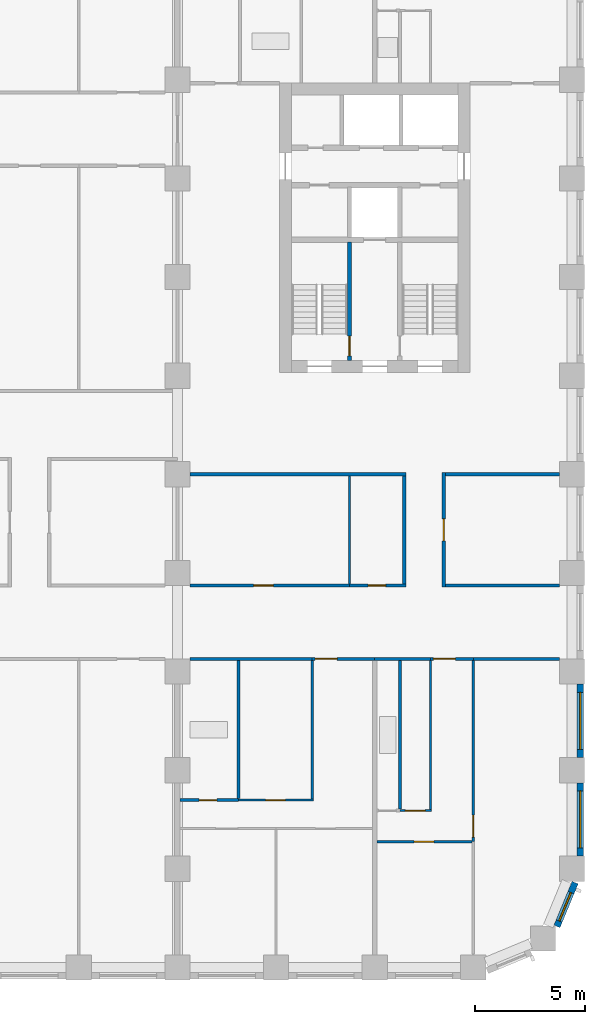
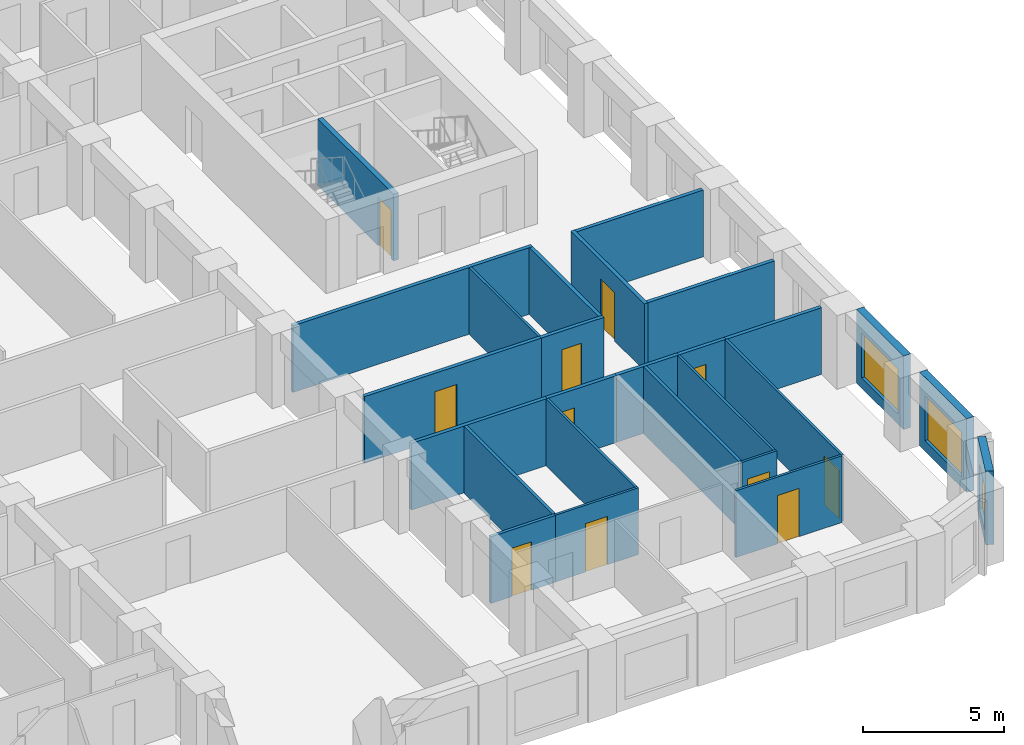
# One storey, part 5 of 13: 26 walls, 11 doors, 3 windows, 14 openings.
"""IFC4 building model written with IfcOpenShell, lengths in metres."""

from ifc_helpers import new_model, si_unit, direction, frame, frame_2d, origin, place, context, subcontext, project, spatial, rectangle, extrude, material, layer, layer_set, type_object, element, fill, save


model = new_model("IFC4")

# Units and contexts
model_context = context("Model", 3, precision=1e-05, world=origin(), true_north=direction((0.0, 1.0)))
body_context = subcontext(model_context, "Body", "Model", "MODEL_VIEW")
ifc_project = project(units=[si_unit("LENGTHUNIT", "METRE"), si_unit("AREAUNIT", "SQUARE_METRE"), si_unit("VOLUMEUNIT", "CUBIC_METRE"), si_unit("PLANEANGLEUNIT", "RADIAN"), si_unit("MASSUNIT", "GRAM", prefix="KILO")], contexts=[model_context])

# Site, building, storey
site_placement = place(None, origin())
site = spatial("IfcSite", under=ifc_project, at=site_placement, CompositionType="ELEMENT")
building_placement = place(site_placement, origin())
building = spatial("IfcBuilding", under=site, at=building_placement, Name="Girih Gate Residences", CompositionType="ELEMENT")
storey_placement = place(building_placement, frame((0.0, 0.0, 102.39990234375)))
storey = spatial("IfcBuildingStorey", under=building, at=storey_placement, Name="L28", CompositionType="ELEMENT", Elevation=102.39990234375)

# Wall
ifc_material_1 = material(Name="Gypsum board on steel studs", Category="steel")
ifc_layer_1 = layer(ifc_material_1, 0.14990234375)
ifc_layer_set_1 = layer_set([ifc_layer_1], Name="Compartment wall 150 mm")
wall_type_1 = type_object("IfcWallType", Name="Compartment wall 150 mm", PredefinedType="PARTITIONING", material=ifc_layer_set_1)
wall_1_placement = place(storey_placement, frame((40.5, 14.074951171875, 0.0), z_axis=(0.0, 0.0, 1.0), x_axis=(1.0, 0.0, 0.0)))
element("IfcWall", 1, at=wall_1_placement, inside=storey, type_object=wall_type_1, Name="L28 partition", PredefinedType="PARTITIONING", context=body_context, shape_type="SweptSolid", body=[
    extrude(rectangle(XDim=2.550048828125, YDim=0.14990234375, at=frame_2d((1.27490234375, 0.0))), origin(), (0.0, 0.0, 1.0), 2.900146484375),
])

# Wall, opening, door
wall_2_placement = place(storey_placement, frame((45.0, 14.074951171875, 0.0), z_axis=(0.0, 0.0, 1.0), x_axis=(-1.0, 0.0, 0.0)))
wall_2 = element("IfcWall", 2, at=wall_2_placement, inside=storey, type_object=wall_type_1, Name="L28 partition", PredefinedType="PARTITIONING", context=body_context, shape_type="SweptSolid", body=[
    extrude(rectangle(XDim=1.949951171875, YDim=0.14990234375, at=frame_2d((0.97509765625, 0.0))), origin(), (0.0, 0.0, 1.0), 2.900146484375),
])
opening_1_placement = place(wall_2_placement, frame((0.820068359375, 0.0, 0.0)))
opening_1 = element("IfcOpeningElement", 3, at=opening_1_placement, cuts=wall_2, Name="Opening A28-023", PredefinedType="OPENING", context=body_context, shape_type="SweptSolid", body=[
    extrude(rectangle(XDim=1.0, YDim=2.10009765625, at=frame_2d((0.5, 1.050048828125))), frame((0.0, 0.0849609375, 0.0), z_axis=(0.0, -1.0, 0.0), x_axis=(1.0, 0.0, 0.0)), (0.0, 0.0, 1.0), 0.169921875),
])
ifc_material_2 = material(Name="Timber, fire-rated core", Category="wood")
door_type_1 = type_object("IfcDoorType", Name="Flat entrance door 1000x2100 FD30S", OperationType="NOTDEFINED", PredefinedType="DOOR", material=ifc_material_2)
door_1_placement = place(opening_1_placement, origin())
door_1 = element("IfcDoor", 4, at=door_1_placement, inside=storey, type_object=door_type_1, Name="Door A28-023", OperationType="SINGLE_SWING_RIGHT", OverallHeight=2.10009765625, OverallWidth=1.0, PredefinedType="DOOR", context=body_context, shape_type="SweptSolid", body=[
    extrude(rectangle(XDim=1.0, YDim=2.10009765625, at=frame_2d((0.5, 1.050048828125))), frame((0.0, 0.02490234375, 0.0), z_axis=(0.0, -1.0, 0.0), x_axis=(1.0, 0.0, 0.0)), (0.0, 0.0, 1.0), 0.050048828125),
])
fill(opening_1, door_1)

# Walls
wall_3_placement = place(storey_placement, frame((45.0, 14.074951171875, 0.0), z_axis=(0.0, 0.0, 1.0), x_axis=(1.0, 0.0, 0.0)))
element("IfcWall", 5, at=wall_3_placement, inside=storey, type_object=wall_type_1, Name="L28 partition", PredefinedType="PARTITIONING", context=body_context, shape_type="SweptSolid", body=[
    extrude(rectangle(XDim=3.925048828125, YDim=0.14990234375, at=frame_2d((1.96240234375, 0.0))), origin(), (0.0, 0.0, 1.0), 2.900146484375),
])
wall_4_placement = place(storey_placement, frame((32.074951171875, 14.074951171875, 0.0), z_axis=(0.0, 0.0, 1.0), x_axis=(1.0, 0.0, 0.0)))
element("IfcWall", 6, at=wall_4_placement, inside=storey, type_object=wall_type_1, Name="L28 partition", PredefinedType="PARTITIONING", context=body_context, shape_type="SweptSolid", body=[
    extrude(rectangle(XDim=5.574951171875, YDim=0.14990234375, at=frame_2d((2.78759765625, 0.0))), origin(), (0.0, 0.0, 1.0), 2.900146484375),
])

# Wall, opening, door
wall_5_placement = place(storey_placement, frame((40.5, 14.074951171875, 0.0), z_axis=(0.0, 0.0, 1.0), x_axis=(-1.0, 0.0, 0.0)))
wall_5 = element("IfcWall", 7, at=wall_5_placement, inside=storey, type_object=wall_type_1, Name="L28 partition", PredefinedType="PARTITIONING", context=body_context, shape_type="SweptSolid", body=[
    extrude(rectangle(XDim=2.85009765625, YDim=0.14990234375, at=frame_2d((1.425048828125, 0.0))), origin(), (0.0, 0.0, 1.0), 2.900146484375),
])
opening_2_placement = place(wall_5_placement, frame((1.719970703125, 0.0, 0.0)))
opening_2 = element("IfcOpeningElement", 8, at=opening_2_placement, cuts=wall_5, Name="Opening A28-028", PredefinedType="OPENING", context=body_context, shape_type="SweptSolid", body=[
    extrude(rectangle(XDim=1.0, YDim=2.10009765625, at=frame_2d((0.5, 1.050048828125))), frame((0.0, 0.0849609375, 0.0), z_axis=(0.0, -1.0, 0.0), x_axis=(1.0, 0.0, 0.0)), (0.0, 0.0, 1.0), 0.169921875),
])
door_2_placement = place(opening_2_placement, origin())
door_2 = element("IfcDoor", 9, at=door_2_placement, inside=storey, type_object=door_type_1, Name="Door A28-028", OperationType="SINGLE_SWING_RIGHT", OverallHeight=2.10009765625, OverallWidth=1.0, PredefinedType="DOOR", context=body_context, shape_type="SweptSolid", body=[
    extrude(rectangle(XDim=1.0, YDim=2.10009765625, at=frame_2d((0.5, 1.050048828125))), frame((0.0, 0.02490234375, 0.0), z_axis=(0.0, -1.0, 0.0), x_axis=(1.0, 0.0, 0.0)), (0.0, 0.0, 1.0), 0.050048828125),
])
fill(opening_2, door_2)

wall_6_placement = place(storey_placement, frame((32.074951171875, 17.425048828125, 0.0), z_axis=(0.0, 0.0, 1.0), x_axis=(1.0, 0.0, 0.0)))
wall_6 = element("IfcWall", 10, at=wall_6_placement, inside=storey, type_object=wall_type_1, Name="L28 partition", PredefinedType="PARTITIONING", context=body_context, shape_type="SweptSolid", body=[
    extrude(rectangle(XDim=7.275146484375, YDim=0.14990234375, at=frame_2d((3.6376953125, 0.0))), origin(), (0.0, 0.0, 1.0), 2.900146484375),
])
opening_3_placement = place(wall_6_placement, frame((2.89990234375, 0.0, 0.0)))
opening_3 = element("IfcOpeningElement", 11, at=opening_3_placement, cuts=wall_6, Name="Opening A28-050", PredefinedType="OPENING", context=body_context, shape_type="SweptSolid", body=[
    extrude(rectangle(XDim=0.89990234375, YDim=2.10009765625, at=frame_2d((0.449951171875, 1.050048828125))), frame((0.0, 0.0849609375, 0.0), z_axis=(0.0, -1.0, 0.0), x_axis=(1.0, 0.0, 0.0)), (0.0, 0.0, 1.0), 0.169921875),
])
ifc_material_3 = material(Name="Timber", Category="wood")
door_type_2 = type_object("IfcDoorType", Name="Service room door 900x2100", OperationType="NOTDEFINED", PredefinedType="DOOR", material=ifc_material_3)
door_3_placement = place(opening_3_placement, origin())
door_3 = element("IfcDoor", 12, at=door_3_placement, inside=storey, type_object=door_type_2, Name="Door A28-050", OperationType="SINGLE_SWING_LEFT", OverallHeight=2.10009765625, OverallWidth=0.89990234375, PredefinedType="DOOR", context=body_context, shape_type="SweptSolid", body=[
    extrude(rectangle(XDim=0.89990234375, YDim=2.10009765625, at=frame_2d((0.449951171875, 1.050048828125))), frame((0.0, 0.02490234375, 0.0), z_axis=(0.0, -1.0, 0.0), x_axis=(1.0, 0.0, 0.0)), (0.0, 0.0, 1.0), 0.050048828125),
])
fill(opening_3, door_3)

wall_7_placement = place(storey_placement, frame((39.35009765625, 17.425048828125, 0.0), z_axis=(0.0, 0.0, 1.0), x_axis=(1.0, 0.0, 0.0)))
wall_7 = element("IfcWall", 13, at=wall_7_placement, inside=storey, type_object=wall_type_1, Name="L28 partition", PredefinedType="PARTITIONING", context=body_context, shape_type="SweptSolid", body=[
    extrude(rectangle(XDim=2.574951171875, YDim=0.14990234375, at=frame_2d((1.28759765625, 0.0))), origin(), (0.0, 0.0, 1.0), 2.900146484375),
])
opening_4_placement = place(wall_7_placement, frame((0.85009765625, 0.0, 0.0)))
opening_4 = element("IfcOpeningElement", 14, at=opening_4_placement, cuts=wall_7, Name="Opening A28-052", PredefinedType="OPENING", context=body_context, shape_type="SweptSolid", body=[
    extrude(rectangle(XDim=0.800048828125, YDim=2.10009765625, at=frame_2d((0.39990234375, 1.050048828125))), frame((0.0, 0.0849609375, 0.0), z_axis=(0.0, -1.0, 0.0), x_axis=(1.0, 0.0, 0.0)), (0.0, 0.0, 1.0), 0.169921875),
])
door_type_3 = type_object("IfcDoorType", Name="Bathroom door 800x2100", OperationType="NOTDEFINED", PredefinedType="DOOR", material=ifc_material_3)
door_4_placement = place(opening_4_placement, origin())
door_4 = element("IfcDoor", 15, at=door_4_placement, inside=storey, type_object=door_type_3, Name="Door A28-052", OperationType="SINGLE_SWING_LEFT", OverallHeight=2.10009765625, OverallWidth=0.800048828125, PredefinedType="DOOR", context=body_context, shape_type="SweptSolid", body=[
    extrude(rectangle(XDim=0.800048828125, YDim=2.10009765625, at=frame_2d((0.39990234375, 1.050048828125))), frame((0.0, 0.02490234375, 0.0), z_axis=(0.0, -1.0, 0.0), x_axis=(1.0, 0.0, 0.0)), (0.0, 0.0, 1.0), 0.050048828125),
])
fill(opening_4, door_4)

# Walls
wall_8_placement = place(storey_placement, frame((43.72509765625, 17.425048828125, 0.0), z_axis=(0.0, 0.0, 1.0), x_axis=(1.0, 0.0, 0.0)))
element("IfcWall", 16, at=wall_8_placement, inside=storey, type_object=wall_type_1, Name="L28 partition", PredefinedType="PARTITIONING", context=body_context, shape_type="SweptSolid", body=[
    extrude(rectangle(XDim=5.199951171875, YDim=0.14990234375, at=frame_2d((2.60009765625, 0.0))), origin(), (0.0, 0.0, 1.0), 2.900146484375),
])
wall_9_placement = place(storey_placement, frame((32.074951171875, 22.5, 0.0), z_axis=(0.0, 0.0, 1.0), x_axis=(1.0, 0.0, 0.0)))
element("IfcWall", 17, at=wall_9_placement, inside=storey, type_object=wall_type_1, Name="L28 partition", PredefinedType="PARTITIONING", context=body_context, shape_type="SweptSolid", body=[
    extrude(rectangle(XDim=9.85009765625, YDim=0.14990234375, at=frame_2d((4.925048828125, 0.0))), origin(), (0.0, 0.0, 1.0), 2.900146484375),
])
wall_10_placement = place(storey_placement, frame((43.72509765625, 22.5, 0.0), z_axis=(0.0, 0.0, 1.0), x_axis=(1.0, 0.0, 0.0)))
element("IfcWall", 18, at=wall_10_placement, inside=storey, type_object=wall_type_1, Name="L28 partition", PredefinedType="PARTITIONING", context=body_context, shape_type="SweptSolid", body=[
    extrude(rectangle(XDim=5.199951171875, YDim=0.14990234375, at=frame_2d((2.60009765625, 0.0))), origin(), (0.0, 0.0, 1.0), 2.900146484375),
])
wall_11_placement = place(storey_placement, frame((41.85009765625, 17.5, 0.0), z_axis=(0.0, 0.0, 1.0), x_axis=(0.0, 1.0, 0.0)))
element("IfcWall", 19, at=wall_11_placement, inside=storey, type_object=wall_type_1, Name="L28 partition", PredefinedType="PARTITIONING", context=body_context, shape_type="SweptSolid", body=[
    extrude(rectangle(XDim=4.925048828125, YDim=0.14990234375, at=frame_2d((2.46240234375, 0.0))), origin(), (0.0, 0.0, 1.0), 2.900146484375),
])

# Wall, opening, door
wall_12_placement = place(storey_placement, frame((43.64990234375, 22.574951171875, 0.0), z_axis=(0.0, 0.0, 1.0), x_axis=(0.0, -1.0, 0.0)))
wall_12 = element("IfcWall", 20, at=wall_12_placement, inside=storey, type_object=wall_type_1, Name="L28 partition", PredefinedType="PARTITIONING", context=body_context, shape_type="SweptSolid", body=[
    extrude(rectangle(XDim=5.224853515625, YDim=0.14990234375, at=frame_2d((2.6123046875, 0.0))), origin(), (0.0, 0.0, 1.0), 2.900146484375),
])
opening_5_placement = place(wall_12_placement, frame((2.112548828125, 0.0, 0.0)))
opening_5 = element("IfcOpeningElement", 21, at=opening_5_placement, cuts=wall_12, Name="Opening A28-054", PredefinedType="OPENING", context=body_context, shape_type="SweptSolid", body=[
    extrude(rectangle(XDim=1.0, YDim=2.10009765625, at=frame_2d((0.5, 1.050048828125))), frame((0.0, 0.0849609375, 0.0), z_axis=(0.0, -1.0, 0.0), x_axis=(1.0, 0.0, 0.0)), (0.0, 0.0, 1.0), 0.169921875),
])
door_type_4 = type_object("IfcDoorType", Name="Amenity room door 1000x2100 FD30S", OperationType="NOTDEFINED", PredefinedType="DOOR", material=ifc_material_2)
door_5_placement = place(opening_5_placement, origin())
door_5 = element("IfcDoor", 22, at=door_5_placement, inside=storey, type_object=door_type_4, Name="Door A28-054", OperationType="SINGLE_SWING_RIGHT", OverallHeight=2.10009765625, OverallWidth=1.0, PredefinedType="DOOR", context=body_context, shape_type="SweptSolid", body=[
    extrude(rectangle(XDim=1.0, YDim=2.10009765625, at=frame_2d((0.5, 1.050048828125))), frame((0.0, 0.02490234375, 0.0), z_axis=(0.0, -1.0, 0.0), x_axis=(1.0, 0.0, 0.0)), (0.0, 0.0, 1.0), 0.050048828125),
])
fill(opening_5, door_5)

ifc_layer_2 = layer(ifc_material_1, 0.10009765625)
ifc_layer_set_2 = layer_set([ifc_layer_2], Name="Partition 100 mm")
wall_type_2 = type_object("IfcWallType", Name="Partition 100 mm", PredefinedType="PARTITIONING", material=ifc_layer_set_2)
wall_13_placement = place(storey_placement, frame((44.949951171875, 5.735107421875, 0.0), z_axis=(0.0, 0.0, 1.0), x_axis=(-1.0, 0.0, 0.0)))
wall_13 = element("IfcWall", 23, at=wall_13_placement, inside=storey, type_object=wall_type_2, Name="L28 partition", PredefinedType="PARTITIONING", context=body_context, shape_type="SweptSolid", body=[
    extrude(rectangle(XDim=4.349853515625, YDim=0.10009765625, at=frame_2d((2.1748046875, 0.0))), origin(), (0.0, 0.0, 1.0), 2.900146484375),
])
opening_6_placement = place(wall_13_placement, frame((1.75, 0.0, 0.0)))
opening_6 = element("IfcOpeningElement", 24, at=opening_6_placement, cuts=wall_13, Name="Opening A28-020", PredefinedType="OPENING", context=body_context, shape_type="SweptSolid", body=[
    extrude(rectangle(XDim=0.89990234375, YDim=2.10009765625, at=frame_2d((0.449951171875, 1.050048828125))), frame((0.0, 0.06005859375, 0.0), z_axis=(0.0, -1.0, 0.0), x_axis=(1.0, 0.0, 0.0)), (0.0, 0.0, 1.0), 0.1201171875),
])
door_type_5 = type_object("IfcDoorType", Name="Bedroom door 900x2100", OperationType="NOTDEFINED", PredefinedType="DOOR", material=ifc_material_3)
door_6_placement = place(opening_6_placement, origin())
door_6 = element("IfcDoor", 25, at=door_6_placement, inside=storey, type_object=door_type_5, Name="Door A28-020", OperationType="SINGLE_SWING_RIGHT", OverallHeight=2.10009765625, OverallWidth=0.89990234375, PredefinedType="DOOR", context=body_context, shape_type="SweptSolid", body=[
    extrude(rectangle(XDim=0.89990234375, YDim=2.10009765625, at=frame_2d((0.449951171875, 1.050048828125))), frame((0.0, 0.02490234375, 0.0), z_axis=(0.0, -1.0, 0.0), x_axis=(1.0, 0.0, 0.0)), (0.0, 0.0, 1.0), 0.050048828125),
])
fill(opening_6, door_6)

wall_14_placement = place(storey_placement, frame((41.6591796875, 7.155029296875, 0.0), z_axis=(0.0, 0.0, 1.0), x_axis=(1.0, 0.0, 0.0)))
wall_14 = element("IfcWall", 26, at=wall_14_placement, inside=storey, type_object=wall_type_2, Name="L28 partition", PredefinedType="PARTITIONING", context=body_context, shape_type="SweptSolid", body=[
    extrude(rectangle(XDim=1.44091796875, YDim=0.10009765625, at=frame_2d((0.720458984375, 0.0))), origin(), (0.0, 0.0, 1.0), 2.900146484375),
])
opening_7_placement = place(wall_14_placement, frame((0.24560546875, 0.0, 0.0)))
opening_7 = element("IfcOpeningElement", 27, at=opening_7_placement, cuts=wall_14, Name="Opening A28-021", PredefinedType="OPENING", context=body_context, shape_type="SweptSolid", body=[
    extrude(rectangle(XDim=0.89990234375, YDim=2.10009765625, at=frame_2d((0.449951171875, 1.050048828125))), frame((0.0, 0.06005859375, 0.0), z_axis=(0.0, -1.0, 0.0), x_axis=(1.0, 0.0, 0.0)), (0.0, 0.0, 1.0), 0.1201171875),
])
door_type_6 = type_object("IfcDoorType", Name="Kitchen door 900x2100", OperationType="NOTDEFINED", PredefinedType="DOOR", material=ifc_material_3)
door_7_placement = place(opening_7_placement, origin())
door_7 = element("IfcDoor", 28, at=door_7_placement, inside=storey, type_object=door_type_6, Name="Door A28-021", OperationType="SINGLE_SWING_LEFT", OverallHeight=2.10009765625, OverallWidth=0.89990234375, PredefinedType="DOOR", context=body_context, shape_type="SweptSolid", body=[
    extrude(rectangle(XDim=0.89990234375, YDim=2.10009765625, at=frame_2d((0.449951171875, 1.050048828125))), frame((0.0, 0.02490234375, 0.0), z_axis=(0.0, -1.0, 0.0), x_axis=(1.0, 0.0, 0.0)), (0.0, 0.0, 1.0), 0.050048828125),
])
fill(opening_7, door_7)

# Wall
wall_15_placement = place(storey_placement, frame((43.050048828125, 7.205078125, 0.0), z_axis=(0.0, 0.0, 1.0), x_axis=(0.0, 1.0, 0.0)))
element("IfcWall", 29, at=wall_15_placement, inside=storey, type_object=wall_type_2, Name="L28 partition", PredefinedType="PARTITIONING", context=body_context, shape_type="SweptSolid", body=[
    extrude(rectangle(XDim=6.794921875, YDim=0.10009765625, at=frame_2d((3.3974609375, 0.0))), origin(), (0.0, 0.0, 1.0), 2.900146484375),
])

# Wall, opening, door
wall_16_placement = place(storey_placement, frame((45.0, 14.0, 0.0), z_axis=(0.0, 0.0, 1.0), x_axis=(0.0, -1.0, 0.0)))
wall_16 = element("IfcWall", 30, at=wall_16_placement, inside=storey, type_object=wall_type_2, Name="L28 partition", PredefinedType="PARTITIONING", context=body_context, shape_type="SweptSolid", body=[
    extrude(rectangle(XDim=8.264892578125, YDim=0.10009765625, at=frame_2d((4.13232421875, 0.0))), origin(), (0.0, 0.0, 1.0), 2.900146484375),
])
opening_8_placement = place(wall_16_placement, frame((7.054931640625, 0.0, 0.0)))
opening_8 = element("IfcOpeningElement", 31, at=opening_8_placement, cuts=wall_16, Name="Opening A28-022", PredefinedType="OPENING", context=body_context, shape_type="SweptSolid", body=[
    extrude(rectangle(XDim=1.0, YDim=2.10009765625, at=frame_2d((0.5, 1.050048828125))), frame((0.0, 0.06005859375, 0.0), z_axis=(0.0, -1.0, 0.0), x_axis=(1.0, 0.0, 0.0)), (0.0, 0.0, 1.0), 0.1201171875),
])
door_type_7 = type_object("IfcDoorType", Name="Living room door 1000x2100", OperationType="NOTDEFINED", PredefinedType="DOOR", material=ifc_material_3)
door_8_placement = place(opening_8_placement, origin())
door_8 = element("IfcDoor", 32, at=door_8_placement, inside=storey, type_object=door_type_7, Name="Door A28-022", OperationType="SINGLE_SWING_RIGHT", OverallHeight=2.10009765625, OverallWidth=1.0, PredefinedType="DOOR", context=body_context, shape_type="SweptSolid", body=[
    extrude(rectangle(XDim=1.0, YDim=2.10009765625, at=frame_2d((0.5, 1.050048828125))), frame((0.0, 0.02490234375, 0.0), z_axis=(0.0, -1.0, 0.0), x_axis=(1.0, 0.0, 0.0)), (0.0, 0.0, 1.0), 0.050048828125),
])
fill(opening_8, door_8)

wall_17_placement = place(storey_placement, frame((34.287109375, 7.635009765625, 0.0), z_axis=(0.0, 0.0, 1.0), x_axis=(1.0, 0.0, 0.0)))
wall_17 = element("IfcWall", 33, at=wall_17_placement, inside=storey, type_object=wall_type_2, Name="L28 partition", PredefinedType="PARTITIONING", context=body_context, shape_type="SweptSolid", body=[
    extrude(rectangle(XDim=3.412841796875, YDim=0.10009765625, at=frame_2d((1.70654296875, 0.0))), origin(), (0.0, 0.0, 1.0), 2.900146484375),
])
opening_9_placement = place(wall_17_placement, frame((1.2314453125, 0.0, 0.0)))
opening_9 = element("IfcOpeningElement", 34, at=opening_9_placement, cuts=wall_17, Name="Opening A28-026", PredefinedType="OPENING", context=body_context, shape_type="SweptSolid", body=[
    extrude(rectangle(XDim=0.89990234375, YDim=2.10009765625, at=frame_2d((0.449951171875, 1.050048828125))), frame((0.0, 0.06005859375, 0.0), z_axis=(0.0, -1.0, 0.0), x_axis=(1.0, 0.0, 0.0)), (0.0, 0.0, 1.0), 0.1201171875),
])
door_9_placement = place(opening_9_placement, origin())
door_9 = element("IfcDoor", 35, at=door_9_placement, inside=storey, type_object=door_type_6, Name="Door A28-026", OperationType="SINGLE_SWING_LEFT", OverallHeight=2.10009765625, OverallWidth=0.89990234375, PredefinedType="DOOR", context=body_context, shape_type="SweptSolid", body=[
    extrude(rectangle(XDim=0.89990234375, YDim=2.10009765625, at=frame_2d((0.449951171875, 1.050048828125))), frame((0.0, 0.02490234375, 0.0), z_axis=(0.0, -1.0, 0.0), x_axis=(1.0, 0.0, 0.0)), (0.0, 0.0, 1.0), 0.050048828125),
])
fill(opening_9, door_9)

# Walls
wall_18_placement = place(storey_placement, frame((37.64990234375, 7.68505859375, 0.0), z_axis=(0.0, 0.0, 1.0), x_axis=(0.0, 1.0, 0.0)))
element("IfcWall", 36, at=wall_18_placement, inside=storey, type_object=wall_type_2, Name="L28 partition", PredefinedType="PARTITIONING", context=body_context, shape_type="SweptSolid", body=[
    extrude(rectangle(XDim=6.31494140625, YDim=0.10009765625, at=frame_2d((3.157470703125, 0.0))), origin(), (0.0, 0.0, 1.0), 2.900146484375),
])
wall_19_placement = place(storey_placement, frame((39.35009765625, 17.5, 0.0), z_axis=(0.0, 0.0, 1.0), x_axis=(0.0, 1.0, 0.0)))
element("IfcWall", 37, at=wall_19_placement, inside=storey, type_object=wall_type_2, Name="L28 partition", PredefinedType="PARTITIONING", context=body_context, shape_type="SweptSolid", body=[
    extrude(rectangle(XDim=4.925048828125, YDim=0.10009765625, at=frame_2d((2.46240234375, 0.0))), origin(), (0.0, 0.0, 1.0), 2.900146484375),
])

# Wall, opening, window
ifc_material_4 = material(Name="Precast concrete C50/60", Category="concrete")
ifc_layer_3 = layer(ifc_material_4, 0.080078125, Name="Outer leaf")
ifc_material_5 = material(Name="Rigid PIR insulation")
ifc_layer_4 = layer(ifc_material_5, 0.14990234375, Name="Insulation")
ifc_material_6 = material(Name="Precast concrete C40/50", Category="concrete")
ifc_layer_5 = layer(ifc_material_6, 0.070068359375, Name="Inner leaf")
ifc_layer_set_3 = layer_set([ifc_layer_3, ifc_layer_4, ifc_layer_5], Name="Precast concrete C50/60 external wall 300")
wall_type_3 = type_object("IfcWallType", Name="Precast concrete C50/60 external wall 300", PredefinedType="SOLIDWALL", material=ifc_layer_set_3)
wall_20_placement = place(storey_placement, frame((49.64404296875, 3.86767578125, 0.0), z_axis=(0.0, 0.0, 1.0), x_axis=(-0.382723818695, -0.923862802911, 0.0)))
wall_20 = element("IfcWall", 38, at=wall_20_placement, inside=storey, type_object=wall_type_3, Name="External wall SE0482_0013.0", PredefinedType="SOLIDWALL", context=body_context, shape_type="SweptSolid", body=[
    extrude(rectangle(XDim=2.163818359375, YDim=0.300048828125, at=frame_2d((1.08203125, 0.0))), origin(), (0.0, 0.0, 1.0), 3.2001953125),
])
opening_10_placement = place(wall_20_placement, frame((0.492919921875, 0.0, 0.449951171875)))
opening_10 = element("IfcOpeningElement", 39, at=opening_10_placement, cuts=wall_20, Name="Opening W-2D", PredefinedType="OPENING", context=body_context, shape_type="SweptSolid", body=[
    extrude(rectangle(XDim=1.39990234375, YDim=1.949951171875, at=frame_2d((0.699951171875, 0.97509765625))), frame((0.0, 0.159912109375, 0.0), z_axis=(0.0, -1.0, 0.0), x_axis=(1.0, 0.0, 0.0)), (0.0, 0.0, 1.0), 0.320068359375),
])
ifc_material_7 = material(Name="Double glazing in aluminium frame", Category="aluminium")
window_type_1 = type_object("IfcWindowType", Name="Window W-2D 1400x1950", PartitioningType="SINGLE_PANEL", PredefinedType="WINDOW", material=ifc_material_7)
window_1_placement = place(opening_10_placement, origin())
window_1 = element("IfcWindow", 40, at=window_1_placement, inside=storey, type_object=window_type_1, Name="Window W-2D SE0482_0013.0", OverallHeight=1.949951171875, OverallWidth=1.39990234375, PartitioningType="SINGLE_PANEL", PredefinedType="WINDOW", context=body_context, shape_type="SweptSolid", body=[
    extrude(rectangle(XDim=1.39990234375, YDim=1.949951171875, at=frame_2d((0.699951171875, 0.97509765625))), frame((0.0, 0.030029296875, 0.0), z_axis=(0.0, -1.0, 0.0), x_axis=(1.0, 0.0, 0.0)), (0.0, 0.0, 1.0), 0.06005859375),
])
fill(opening_10, window_1)

wall_21_placement = place(storey_placement, frame((49.875, 8.425048828125, 0.0), z_axis=(0.0, 0.0, 1.0), x_axis=(0.0, -1.0, 0.0)))
wall_21 = element("IfcWall", 41, at=wall_21_placement, inside=storey, type_object=wall_type_3, Name="External wall E0495_0045.0", PredefinedType="SOLIDWALL", context=body_context, shape_type="SweptSolid", body=[
    extrude(rectangle(XDim=3.35009765625, YDim=0.300048828125, at=frame_2d((1.675048828125, 0.0))), origin(), (0.0, 0.0, 1.0), 3.2001953125),
])
opening_11_placement = place(wall_21_placement, frame((0.375, 0.0, 0.449951171875)))
opening_11 = element("IfcOpeningElement", 42, at=opening_11_placement, cuts=wall_21, Name="Opening W-1A", PredefinedType="OPENING", context=body_context, shape_type="SweptSolid", body=[
    extrude(rectangle(XDim=2.60009765625, YDim=1.949951171875, at=frame_2d((1.300048828125, 0.97509765625))), frame((0.0, 0.159912109375, 0.0), z_axis=(0.0, -1.0, 0.0), x_axis=(1.0, 0.0, 0.0)), (0.0, 0.0, 1.0), 0.320068359375),
])
window_type_2 = type_object("IfcWindowType", Name="Window W-1A 2600x1950", PartitioningType="SINGLE_PANEL", PredefinedType="WINDOW", material=ifc_material_7)
window_2_placement = place(opening_11_placement, origin())
window_2 = element("IfcWindow", 43, at=window_2_placement, inside=storey, type_object=window_type_2, Name="Window W-1A E0495_0045.0", OverallHeight=1.949951171875, OverallWidth=2.60009765625, PartitioningType="SINGLE_PANEL", PredefinedType="WINDOW", context=body_context, shape_type="SweptSolid", body=[
    extrude(rectangle(XDim=2.60009765625, YDim=1.949951171875, at=frame_2d((1.300048828125, 0.97509765625))), frame((0.0, 0.030029296875, 0.0), z_axis=(0.0, -1.0, 0.0), x_axis=(1.0, 0.0, 0.0)), (0.0, 0.0, 1.0), 0.06005859375),
])
fill(opening_11, window_2)

wall_22_placement = place(storey_placement, frame((49.875, 12.925048828125, 0.0), z_axis=(0.0, 0.0, 1.0), x_axis=(0.0, -1.0, 0.0)))
wall_22 = element("IfcWall", 44, at=wall_22_placement, inside=storey, type_object=wall_type_3, Name="External wall E0495_0045.1", PredefinedType="SOLIDWALL", context=body_context, shape_type="SweptSolid", body=[
    extrude(rectangle(XDim=3.35009765625, YDim=0.300048828125, at=frame_2d((1.675048828125, 0.0))), origin(), (0.0, 0.0, 1.0), 3.2001953125),
])
opening_12_placement = place(wall_22_placement, frame((0.375, 0.0, 0.449951171875)))
opening_12 = element("IfcOpeningElement", 45, at=opening_12_placement, cuts=wall_22, Name="Opening W-1A", PredefinedType="OPENING", context=body_context, shape_type="SweptSolid", body=[
    extrude(rectangle(XDim=2.60009765625, YDim=1.949951171875, at=frame_2d((1.300048828125, 0.97509765625))), frame((0.0, 0.159912109375, 0.0), z_axis=(0.0, -1.0, 0.0), x_axis=(1.0, 0.0, 0.0)), (0.0, 0.0, 1.0), 0.320068359375),
])
window_3_placement = place(opening_12_placement, origin())
window_3 = element("IfcWindow", 46, at=window_3_placement, inside=storey, type_object=window_type_2, Name="Window W-1A E0495_0045.1", OverallHeight=1.949951171875, OverallWidth=2.60009765625, PartitioningType="SINGLE_PANEL", PredefinedType="WINDOW", context=body_context, shape_type="SweptSolid", body=[
    extrude(rectangle(XDim=2.60009765625, YDim=1.949951171875, at=frame_2d((1.300048828125, 0.97509765625))), frame((0.0, 0.030029296875, 0.0), z_axis=(0.0, -1.0, 0.0), x_axis=(1.0, 0.0, 0.0)), (0.0, 0.0, 1.0), 0.06005859375),
])
fill(opening_12, window_3)

# Wall, opening, door
ifc_material_8 = material(Name="Concrete C40/50", Category="concrete")
ifc_layer_6 = layer(ifc_material_8, 0.199951171875)
ifc_layer_set_4 = layer_set([ifc_layer_6], Name="Shaft wall 200")
wall_type_4 = type_object("IfcWallType", Name="Shaft wall 200", PredefinedType="SOLIDWALL", material=ifc_layer_set_4)
wall_23_placement = place(storey_placement, frame((39.35009765625, 27.699951171875, 0.0), z_axis=(0.0, 0.0, 1.0), x_axis=(0.0, 1.0, 0.0)))
wall_23 = element("IfcWall", 47, at=wall_23_placement, inside=storey, type_object=wall_type_4, Name="L28 E core wall V2a", PredefinedType="SOLIDWALL", context=body_context, shape_type="SweptSolid", body=[
    extrude(rectangle(XDim=5.400146484375, YDim=0.199951171875, at=frame_2d((2.7001953125, 0.0))), origin(), (0.0, 0.0, 1.0), 2.900146484375),
])
opening_13_placement = place(wall_23_placement, frame((0.199951171875, 0.0, 0.0)))
opening_13 = element("IfcOpeningElement", 48, at=opening_13_placement, cuts=wall_23, Name="Opening D-L28-E-002", PredefinedType="OPENING", context=body_context, shape_type="SweptSolid", body=[
    extrude(rectangle(XDim=0.89990234375, YDim=2.10009765625, at=frame_2d((0.449951171875, 1.050048828125))), frame((0.0, 0.10986328125, 0.0), z_axis=(0.0, -1.0, 0.0), x_axis=(1.0, 0.0, 0.0)), (0.0, 0.0, 1.0), 0.219970703125),
])
ifc_material_9 = material(Name="Painted steel, fire-resisting", Category="steel")
door_type_8 = type_object("IfcDoorType", Name="Fire door 900x2100", OperationType="SINGLE_SWING_LEFT", PredefinedType="DOOR", material=ifc_material_9)
door_10_placement = place(opening_13_placement, origin())
door_10 = element("IfcDoor", 49, at=door_10_placement, inside=storey, type_object=door_type_8, Name="L28 E door stair 2 to firefighting lobby", OperationType="SINGLE_SWING_LEFT", OverallHeight=2.10009765625, OverallWidth=0.89990234375, PredefinedType="DOOR", context=body_context, shape_type="SweptSolid", body=[
    extrude(rectangle(XDim=0.89990234375, YDim=2.10009765625, at=frame_2d((0.449951171875, 1.050048828125))), frame((0.0, 0.02490234375, 0.0), z_axis=(0.0, -1.0, 0.0), x_axis=(1.0, 0.0, 0.0)), (0.0, 0.0, 1.0), 0.050048828125),
])
fill(opening_13, door_10)

# Wall
ifc_layer_7 = layer(ifc_material_1, 0.125)
ifc_layer_set_5 = layer_set([ifc_layer_7], Name="Wet room wall 125 mm")
wall_type_5 = type_object("IfcWallType", Name="Wet room wall 125 mm", PredefinedType="PARTITIONING", material=ifc_layer_set_5)
wall_24_placement = place(storey_placement, frame((41.658935546875, 7.217529296875, 0.0), z_axis=(0.0, 0.0, 1.0), x_axis=(0.0, 1.0, 0.0)))
element("IfcWall", 50, at=wall_24_placement, inside=storey, type_object=wall_type_5, Name="L28 partition", PredefinedType="PARTITIONING", context=body_context, shape_type="SweptSolid", body=[
    extrude(rectangle(XDim=6.782470703125, YDim=0.125, at=frame_2d((3.39111328125, 0.0))), origin(), (0.0, 0.0, 1.0), 2.900146484375),
])

# Wall, opening, door
wall_25_placement = place(storey_placement, frame((31.625, 7.635009765625, 0.0), z_axis=(0.0, 0.0, 1.0), x_axis=(1.0, 0.0, 0.0)))
wall_25 = element("IfcWall", 51, at=wall_25_placement, inside=storey, type_object=wall_type_5, Name="L28 partition", PredefinedType="PARTITIONING", context=body_context, shape_type="SweptSolid", body=[
    extrude(rectangle(XDim=2.662109375, YDim=0.125, at=frame_2d((1.3310546875, 0.0))), origin(), (0.0, 0.0, 1.0), 2.900146484375),
])
opening_14_placement = place(wall_25_placement, frame((0.868408203125, 0.0, 0.0)))
opening_14 = element("IfcOpeningElement", 52, at=opening_14_placement, cuts=wall_25, Name="Opening A28-024", PredefinedType="OPENING", context=body_context, shape_type="SweptSolid", body=[
    extrude(rectangle(XDim=0.800048828125, YDim=2.10009765625, at=frame_2d((0.39990234375, 1.050048828125))), frame((0.0, 0.072509765625, 0.0), z_axis=(0.0, -1.0, 0.0), x_axis=(1.0, 0.0, 0.0)), (0.0, 0.0, 1.0), 0.14501953125),
])
door_11_placement = place(opening_14_placement, origin())
door_11 = element("IfcDoor", 53, at=door_11_placement, inside=storey, type_object=door_type_3, Name="Door A28-024", OperationType="SINGLE_SWING_LEFT", OverallHeight=2.10009765625, OverallWidth=0.800048828125, PredefinedType="DOOR", context=body_context, shape_type="SweptSolid", body=[
    extrude(rectangle(XDim=0.800048828125, YDim=2.10009765625, at=frame_2d((0.39990234375, 1.050048828125))), frame((0.0, 0.02490234375, 0.0), z_axis=(0.0, -1.0, 0.0), x_axis=(1.0, 0.0, 0.0)), (0.0, 0.0, 1.0), 0.050048828125),
])
fill(opening_14, door_11)

# Wall
wall_26_placement = place(storey_placement, frame((34.287109375, 7.697509765625, 0.0), z_axis=(0.0, 0.0, 1.0), x_axis=(0.0, 1.0, 0.0)))
element("IfcWall", 54, at=wall_26_placement, inside=storey, type_object=wall_type_5, Name="L28 partition", PredefinedType="PARTITIONING", context=body_context, shape_type="SweptSolid", body=[
    extrude(rectangle(XDim=6.302490234375, YDim=0.125, at=frame_2d((3.1513671875, 0.0))), origin(), (0.0, 0.0, 1.0), 2.900146484375),
])

save(model, "model.ifc")
